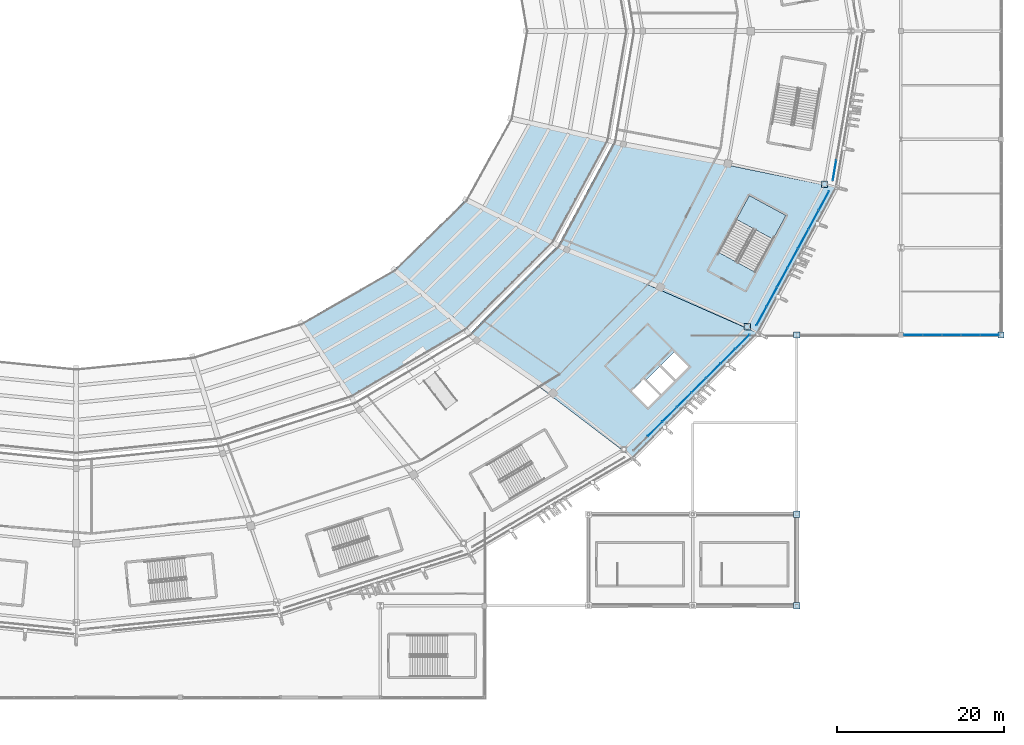
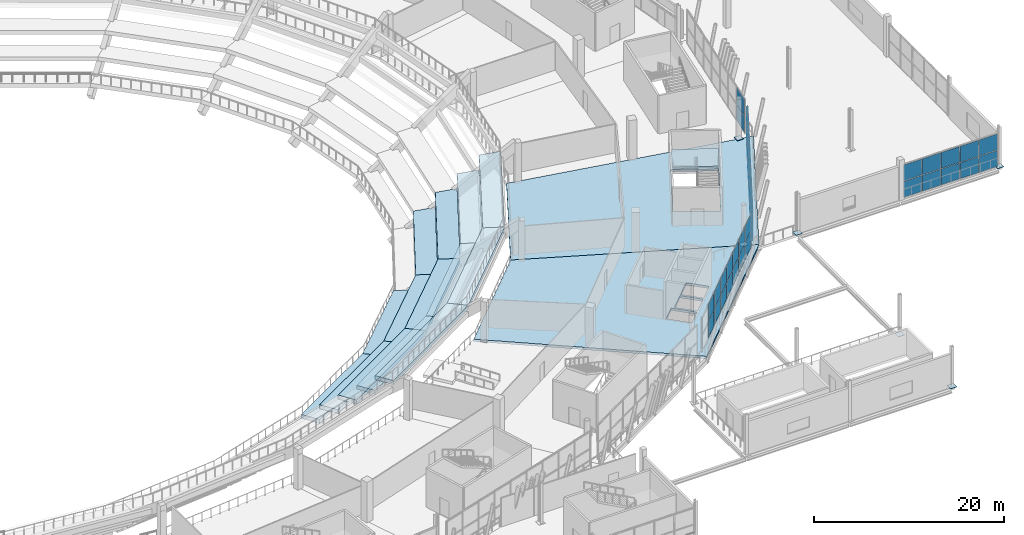
# One storey, part 96 of 178: 46 plates, 17 slabs, 5 elements without a shape of their own.
"""IFC4 building model written with IfcOpenShell, lengths in metres."""

from ifc_helpers import new_model, si_unit, direction, frame, origin, origin_2d, place, context, subcontext, project, spatial, polyline, rectangle, outline, extrude, material, layer, layer_set, type_object, element, aggregate, save


model = new_model("IFC4")

# Units and contexts
model_context = context("Model", 3, precision=1e-05, world=origin(), true_north=direction((0.0, 1.0)))
body_context = subcontext(model_context, "Body", "Model", "MODEL_VIEW")
ifc_project = project(units=[si_unit("LENGTHUNIT", "METRE"), si_unit("AREAUNIT", "SQUARE_METRE"), si_unit("VOLUMEUNIT", "CUBIC_METRE"), si_unit("PLANEANGLEUNIT", "RADIAN"), si_unit("MASSUNIT", "GRAM", prefix="KILO")], contexts=[model_context])

# Site, building, storey
site_placement = place(None, origin())
site = spatial("IfcSite", under=ifc_project, at=site_placement, CompositionType="ELEMENT")
building_placement = place(site_placement, origin())
building = spatial("IfcBuilding", under=site, at=building_placement, Name="Zlatoyarsky Gate Stadium", CompositionType="ELEMENT")
storey_placement = place(building_placement, frame((0.0, 0.0, 5.39990234375)))
storey = spatial("IfcBuildingStorey", under=building, at=storey_placement, Name="L01", CompositionType="ELEMENT", Elevation=5.39990234375)

# Slabs
ifc_material_1 = material(Name="Concrete C40/50", Category="concrete")
ifc_layer_1 = layer(ifc_material_1, 0.300048828125)
ifc_layer_set_1 = layer_set([ifc_layer_1], Name="Concrete C40/50")
slab_type_1 = type_object("IfcSlabType", Name="CONCRETE CONCOURSE SLAB 300", PredefinedType="FLOOR", material=ifc_layer_set_1)
slab_1_placement = place(storey_placement, frame((0.0, 0.0, -0.2998046875)))
element("IfcSlab", 1, at=slab_1_placement, inside=storey, type_object=slab_type_1, Name="L01 bowl sector 21 slab", PredefinedType="FLOOR", context=body_context, shape_type="SweptSolid", body=[
    extrude(outline(polyline([(168.8505859375, 54.300048828125), (192.933349609375, 43.69580078125), (177.898193359375, 28.657958984375), (158.234619140625, 43.65478515625), (168.8505859375, 54.300048828125)]), holes=[polyline([(177.668212890625, 36.799072265625), (179.643310546875, 34.814208984375), (181.06103515625, 36.224853515625), (179.086181640625, 38.209716796875), (177.668212890625, 36.799072265625)]), polyline([(181.23828125, 36.401123046875), (182.7978515625, 37.952880859375), (181.034423828125, 39.72509765625), (179.47509765625, 38.17333984375), (181.23828125, 36.401123046875)]), polyline([(181.2119140625, 39.9013671875), (182.97509765625, 38.129150390625), (184.53466796875, 39.680908203125), (182.771240234375, 41.452880859375), (181.2119140625, 39.9013671875)])]), origin(), (0.0, 0.0, 1.0), 0.2998046875),
])
slab_2_placement = place(storey_placement, frame((0.0, 0.0, -0.2998046875)))
element("IfcSlab", 2, at=slab_2_placement, inside=storey, type_object=slab_type_1, Name="L01 bowl sector 22 slab", PredefinedType="FLOOR", context=body_context, shape_type="SweptSolid", body=[
    extrude(outline(polyline([(175.523681640625, 66.69677734375), (202.384765625, 61.20751953125), (192.933349609375, 43.69580078125), (168.8505859375, 54.300048828125), (175.523681640625, 66.69677734375)]), holes=[polyline([(188.108154296875, 53.438720703125), (192.5029296875, 51.05419921875), (196.19873046875, 57.8662109375), (191.803955078125, 60.250732421875), (188.108154296875, 53.438720703125)])]), origin(), (0.0, 0.0, 1.0), 0.2998046875),
])

# Stair, slab
stair_type = type_object("IfcStairType", Name="CONCRETE DOGLEG EXIT STAIR H5200", PredefinedType="TWO_STRAIGHT_RUN_STAIR", material=ifc_material_1)
stair_placement = place(storey_placement, origin())
stair = element("IfcStair", 3, at=stair_placement, inside=storey, type_object=stair_type, Name="L01 Exit Stair ST-12", PredefinedType="TWO_STRAIGHT_RUN_STAIR")
ifc_layer_2 = layer(ifc_material_1, 0.199951171875)
ifc_layer_set_2 = layer_set([ifc_layer_2], Name="Concrete C40/50")
slab_type_2 = type_object("IfcSlabType", Name="CONCRETE STAIR LANDING SLAB 200", PredefinedType="LANDING", material=ifc_layer_set_2)
slab_3_placement = place(storey_placement, frame((0.0, 0.0, 2.400146484375)))
slab_3 = element("IfcSlab", 4, at=slab_3_placement, type_object=slab_type_2, Name="ST-DG52 landing 1", PredefinedType="LANDING", context=body_context, shape_type="SweptSolid", body=[
    extrude(outline(polyline([(194.64892578125, 55.009521484375), (196.19873046875, 57.8662109375), (191.803955078125, 60.250732421875), (190.254150390625, 57.39404296875), (194.64892578125, 55.009521484375)])), origin(), (0.0, 0.0, 1.0), 0.199951171875),
])
aggregate(stair, [slab_3])

# Curtain wall, plates
ifc_material_2 = material(Name="Thermally broken anodised aluminium curtain wall", Category="aluminium")
curtain_wall_type_1 = type_object("IfcCurtainWallType", Name="WINTER GARDEN CONSERVATORY GLAZING", PredefinedType="USERDEFINED", material=ifc_material_2)
curtain_wall_1_placement = place(storey_placement, origin())
curtain_wall_1 = element("IfcCurtainWall", 5, at=curtain_wall_1_placement, inside=storey, type_object=curtain_wall_type_1, Name="Curtain wall CW-V5_EAST-L01-188", ObjectType="UNITISED GLAZING", PredefinedType="USERDEFINED")
ifc_material_3 = material(Name="Anodised aluminium spandrel panel", Category="aluminium")
ifc_layer_3 = layer(ifc_material_3, 0.05810546875)
ifc_layer_set_3 = layer_set([ifc_layer_3], Name="Anodised aluminium spandrel panel")
plate_type_1 = type_object("IfcPlateType", Name="INSULATED ALUMINIUM SPANDREL PANEL 58", PredefinedType="CURTAIN_PANEL", material=ifc_layer_set_3)
plate_1_placement = place(storey_placement, frame((211.48095703125, 43.5, 0.06494140625), z_axis=(0.0, 0.0, 1.0), x_axis=(1.0, 0.0, 0.0)))
plate_1 = element("IfcPlate", 6, at=plate_1_placement, type_object=plate_type_1, Name="CW-WG1 panel 1.1", PredefinedType="CURTAIN_PANEL", context=body_context, shape_type="SweptSolid", body=[
    extrude(rectangle(XDim=2.207763671875, YDim=0.05810546875, at=origin_2d()), origin(), (0.0, 0.0, 1.0), 2.052490234375),
])
plate_2_placement = place(storey_placement, frame((211.48095703125, 43.5, 2.1826171875), z_axis=(0.0, 0.0, 1.0), x_axis=(1.0, 0.0, 0.0)))
plate_2 = element("IfcPlate", 7, at=plate_2_placement, type_object=plate_type_1, Name="CW-WG1 panel 1.2", PredefinedType="CURTAIN_PANEL", context=body_context, shape_type="SweptSolid", body=[
    extrude(rectangle(XDim=2.207763671875, YDim=0.05810546875, at=origin_2d()), origin(), (0.0, 0.0, 1.0), 2.052490234375),
])
plate_3_placement = place(storey_placement, frame((213.769775390625, 43.5, 0.06494140625), z_axis=(0.0, 0.0, 1.0), x_axis=(1.0, 0.0, 0.0)))
plate_3 = element("IfcPlate", 8, at=plate_3_placement, type_object=plate_type_1, Name="CW-WG1 panel 2.1", PredefinedType="CURTAIN_PANEL", context=body_context, shape_type="SweptSolid", body=[
    extrude(rectangle(XDim=2.240234375, YDim=0.05810546875, at=origin_2d()), origin(), (0.0, 0.0, 1.0), 2.052490234375),
])
plate_4_placement = place(storey_placement, frame((213.769775390625, 43.5, 2.1826171875), z_axis=(0.0, 0.0, 1.0), x_axis=(1.0, 0.0, 0.0)))
plate_4 = element("IfcPlate", 9, at=plate_4_placement, type_object=plate_type_1, Name="CW-WG1 panel 2.2", PredefinedType="CURTAIN_PANEL", context=body_context, shape_type="SweptSolid", body=[
    extrude(rectangle(XDim=2.240234375, YDim=0.05810546875, at=origin_2d()), origin(), (0.0, 0.0, 1.0), 2.052490234375),
])
plate_5_placement = place(storey_placement, frame((216.074951171875, 43.5, 0.06494140625), z_axis=(0.0, 0.0, 1.0), x_axis=(1.0, 0.0, 0.0)))
plate_5 = element("IfcPlate", 10, at=plate_5_placement, type_object=plate_type_1, Name="CW-WG1 panel 3.1", PredefinedType="CURTAIN_PANEL", context=body_context, shape_type="SweptSolid", body=[
    extrude(rectangle(XDim=2.240234375, YDim=0.05810546875, at=origin_2d()), origin(), (0.0, 0.0, 1.0), 2.052490234375),
])
plate_6_placement = place(storey_placement, frame((216.074951171875, 43.5, 2.1826171875), z_axis=(0.0, 0.0, 1.0), x_axis=(1.0, 0.0, 0.0)))
plate_6 = element("IfcPlate", 11, at=plate_6_placement, type_object=plate_type_1, Name="CW-WG1 panel 3.2", PredefinedType="CURTAIN_PANEL", context=body_context, shape_type="SweptSolid", body=[
    extrude(rectangle(XDim=2.240234375, YDim=0.05810546875, at=origin_2d()), origin(), (0.0, 0.0, 1.0), 2.052490234375),
])
plate_7_placement = place(storey_placement, frame((218.380126953125, 43.5, 0.06494140625), z_axis=(0.0, 0.0, 1.0), x_axis=(1.0, 0.0, 0.0)))
plate_7 = element("IfcPlate", 12, at=plate_7_placement, type_object=plate_type_1, Name="CW-WG1 panel 4.1", PredefinedType="CURTAIN_PANEL", context=body_context, shape_type="SweptSolid", body=[
    extrude(rectangle(XDim=2.240234375, YDim=0.05810546875, at=origin_2d()), origin(), (0.0, 0.0, 1.0), 2.052490234375),
])
plate_8_placement = place(storey_placement, frame((218.380126953125, 43.5, 2.1826171875), z_axis=(0.0, 0.0, 1.0), x_axis=(1.0, 0.0, 0.0)))
plate_8 = element("IfcPlate", 13, at=plate_8_placement, type_object=plate_type_1, Name="CW-WG1 panel 4.2", PredefinedType="CURTAIN_PANEL", context=body_context, shape_type="SweptSolid", body=[
    extrude(rectangle(XDim=2.240234375, YDim=0.05810546875, at=origin_2d()), origin(), (0.0, 0.0, 1.0), 2.052490234375),
])
plate_9_placement = place(storey_placement, frame((220.669189453125, 43.5, 0.06494140625), z_axis=(0.0, 0.0, 1.0), x_axis=(1.0, 0.0, 0.0)))
plate_9 = element("IfcPlate", 14, at=plate_9_placement, type_object=plate_type_1, Name="CW-WG1 panel 5.1", PredefinedType="CURTAIN_PANEL", context=body_context, shape_type="SweptSolid", body=[
    extrude(rectangle(XDim=2.207763671875, YDim=0.05810546875, at=origin_2d()), origin(), (0.0, 0.0, 1.0), 2.052490234375),
])
plate_10_placement = place(storey_placement, frame((220.669189453125, 43.5, 2.1826171875), z_axis=(0.0, 0.0, 1.0), x_axis=(1.0, 0.0, 0.0)))
plate_10 = element("IfcPlate", 15, at=plate_10_placement, type_object=plate_type_1, Name="CW-WG1 panel 5.2", PredefinedType="CURTAIN_PANEL", context=body_context, shape_type="SweptSolid", body=[
    extrude(rectangle(XDim=2.207763671875, YDim=0.05810546875, at=origin_2d()), origin(), (0.0, 0.0, 1.0), 2.052490234375),
])
aggregate(curtain_wall_1, [plate_1, plate_2, plate_3, plate_4, plate_5, plate_6, plate_7, plate_8, plate_9, plate_10])

# Slabs
ifc_material_4 = material(Name="Precast concrete C40/50", Category="concrete")
ifc_layer_4 = layer(ifc_material_4, 0.52001953125)
ifc_layer_set_4 = layer_set([ifc_layer_4], Name="Precast concrete C40/50")
slab_type_3 = type_object("IfcSlabType", Name="PRECAST LOWER SEATING TIER UNIT 520", PredefinedType="USERDEFINED", material=ifc_layer_set_4)
slab_4_placement = place(storey_placement, frame((0.0, 0.0, -3.869873046875)))
element("IfcSlab", 16, at=slab_4_placement, inside=storey, type_object=slab_type_3, Name="Lower seating tier sector 20 row 1", ObjectType="SEATING TIER", PredefinedType="USERDEFINED", context=body_context, shape_type="SweptSolid", body=[
    extrude(outline(polyline([(138.0, 44.926025390625), (139.219970703125, 43.14208984375), (150.9091796875, 49.905517578125), (149.183837890625, 51.3623046875), (138.0, 44.926025390625)])), origin(), (0.0, 0.0, 1.0), 0.52001953125),
])
slab_5_placement = place(storey_placement, frame((0.0, 0.0, -1.969970703125)))
element("IfcSlab", 17, at=slab_5_placement, inside=storey, type_object=slab_type_3, Name="Lower seating tier sector 20 row 2", ObjectType="SEATING TIER", PredefinedType="USERDEFINED", context=body_context, shape_type="SweptSolid", body=[
    extrude(outline(polyline([(139.219970703125, 43.14208984375), (140.43994140625, 41.35791015625), (152.634521484375, 48.448974609375), (150.9091796875, 49.905517578125), (139.219970703125, 43.14208984375)])), origin(), (0.0, 0.0, 1.0), 0.52001953125),
])
slab_6_placement = place(storey_placement, frame((0.0, 0.0, -0.06982421875)))
element("IfcSlab", 18, at=slab_6_placement, inside=storey, type_object=slab_type_3, Name="Lower seating tier sector 20 row 3", ObjectType="SEATING TIER", PredefinedType="USERDEFINED", context=body_context, shape_type="SweptSolid", body=[
    extrude(outline(polyline([(140.43994140625, 41.35791015625), (141.659912109375, 39.573974609375), (154.35986328125, 46.9921875), (152.634521484375, 48.448974609375), (140.43994140625, 41.35791015625)])), origin(), (0.0, 0.0, 1.0), 0.52001953125),
])
slab_7_placement = place(storey_placement, frame((0.0, 0.0, 1.830078125)))
element("IfcSlab", 19, at=slab_7_placement, inside=storey, type_object=slab_type_3, Name="Lower seating tier sector 20 row 4", ObjectType="SEATING TIER", PredefinedType="USERDEFINED", context=body_context, shape_type="SweptSolid", body=[
    extrude(outline(polyline([(141.659912109375, 39.573974609375), (142.8798828125, 37.789794921875), (156.085205078125, 45.53564453125), (154.35986328125, 46.9921875), (141.659912109375, 39.573974609375)])), origin(), (0.0, 0.0, 1.0), 0.52001953125),
])
slab_8_placement = place(storey_placement, frame((0.0, 0.0, 3.72998046875)))
element("IfcSlab", 20, at=slab_8_placement, inside=storey, type_object=slab_type_3, Name="Lower seating tier sector 20 row 5", ObjectType="SEATING TIER", PredefinedType="USERDEFINED", context=body_context, shape_type="SweptSolid", body=[
    extrude(outline(polyline([(142.8798828125, 37.789794921875), (144.10009765625, 36.005859375), (157.810546875, 44.0791015625), (156.085205078125, 45.53564453125), (142.8798828125, 37.789794921875)])), origin(), (0.0, 0.0, 1.0), 0.52001953125),
])
slab_9_placement = place(storey_placement, frame((0.0, 0.0, -3.869873046875)))
element("IfcSlab", 21, at=slab_9_placement, inside=storey, type_object=slab_type_3, Name="Lower seating tier sector 21 row 1", ObjectType="SEATING TIER", PredefinedType="USERDEFINED", context=body_context, shape_type="SweptSolid", body=[
    extrude(outline(polyline([(149.183837890625, 51.3623046875), (150.9091796875, 49.905517578125), (159.87841796875, 58.719970703125), (157.765380859375, 59.75), (149.183837890625, 51.3623046875)])), origin(), (0.0, 0.0, 1.0), 0.52001953125),
])
slab_10_placement = place(storey_placement, frame((0.0, 0.0, -1.969970703125)))
element("IfcSlab", 22, at=slab_10_placement, inside=storey, type_object=slab_type_3, Name="Lower seating tier sector 21 row 2", ObjectType="SEATING TIER", PredefinedType="USERDEFINED", context=body_context, shape_type="SweptSolid", body=[
    extrude(outline(polyline([(150.9091796875, 49.905517578125), (152.634521484375, 48.448974609375), (161.99169921875, 57.68994140625), (159.87841796875, 58.719970703125), (150.9091796875, 49.905517578125)])), origin(), (0.0, 0.0, 1.0), 0.52001953125),
])
slab_11_placement = place(storey_placement, frame((0.0, 0.0, -0.06982421875)))
element("IfcSlab", 23, at=slab_11_placement, inside=storey, type_object=slab_type_3, Name="Lower seating tier sector 21 row 3", ObjectType="SEATING TIER", PredefinedType="USERDEFINED", context=body_context, shape_type="SweptSolid", body=[
    extrude(outline(polyline([(152.634521484375, 48.448974609375), (154.35986328125, 46.9921875), (164.104736328125, 56.659912109375), (161.99169921875, 57.68994140625), (152.634521484375, 48.448974609375)])), origin(), (0.0, 0.0, 1.0), 0.52001953125),
])
slab_12_placement = place(storey_placement, frame((0.0, 0.0, 1.830078125)))
element("IfcSlab", 24, at=slab_12_placement, inside=storey, type_object=slab_type_3, Name="Lower seating tier sector 21 row 4", ObjectType="SEATING TIER", PredefinedType="USERDEFINED", context=body_context, shape_type="SweptSolid", body=[
    extrude(outline(polyline([(154.35986328125, 46.9921875), (156.085205078125, 45.53564453125), (166.2177734375, 55.6298828125), (164.104736328125, 56.659912109375), (154.35986328125, 46.9921875)])), origin(), (0.0, 0.0, 1.0), 0.52001953125),
])
slab_13_placement = place(storey_placement, frame((0.0, 0.0, 3.72998046875)))
element("IfcSlab", 25, at=slab_13_placement, inside=storey, type_object=slab_type_3, Name="Lower seating tier sector 21 row 5", ObjectType="SEATING TIER", PredefinedType="USERDEFINED", context=body_context, shape_type="SweptSolid", body=[
    extrude(outline(polyline([(156.085205078125, 45.53564453125), (157.810546875, 44.0791015625), (168.330810546875, 54.60009765625), (166.2177734375, 55.6298828125), (156.085205078125, 45.53564453125)])), origin(), (0.0, 0.0, 1.0), 0.52001953125),
])
slab_14_placement = place(storey_placement, frame((0.0, 0.0, -1.969970703125)))
element("IfcSlab", 26, at=slab_14_placement, inside=storey, type_object=slab_type_3, Name="Lower seating tier sector 22 row 2", ObjectType="SEATING TIER", PredefinedType="USERDEFINED", context=body_context, shape_type="SweptSolid", body=[
    extrude(outline(polyline([(159.87841796875, 58.719970703125), (161.99169921875, 57.68994140625), (167.873779296875, 68.451416015625), (165.516845703125, 68.984619140625), (159.87841796875, 58.719970703125)])), origin(), (0.0, 0.0, 1.0), 0.52001953125),
])
slab_15_placement = place(storey_placement, frame((0.0, 0.0, -0.06982421875)))
element("IfcSlab", 27, at=slab_15_placement, inside=storey, type_object=slab_type_3, Name="Lower seating tier sector 22 row 3", ObjectType="SEATING TIER", PredefinedType="USERDEFINED", context=body_context, shape_type="SweptSolid", body=[
    extrude(outline(polyline([(161.99169921875, 57.68994140625), (164.104736328125, 56.659912109375), (170.230712890625, 67.918212890625), (167.873779296875, 68.451416015625), (161.99169921875, 57.68994140625)])), origin(), (0.0, 0.0, 1.0), 0.52001953125),
])
slab_16_placement = place(storey_placement, frame((0.0, 0.0, 1.830078125)))
element("IfcSlab", 28, at=slab_16_placement, inside=storey, type_object=slab_type_3, Name="Lower seating tier sector 22 row 4", ObjectType="SEATING TIER", PredefinedType="USERDEFINED", context=body_context, shape_type="SweptSolid", body=[
    extrude(outline(polyline([(164.104736328125, 56.659912109375), (166.2177734375, 55.6298828125), (172.58740234375, 67.38525390625), (170.230712890625, 67.918212890625), (164.104736328125, 56.659912109375)])), origin(), (0.0, 0.0, 1.0), 0.52001953125),
])
slab_17_placement = place(storey_placement, frame((0.0, 0.0, 3.72998046875)))
element("IfcSlab", 29, at=slab_17_placement, inside=storey, type_object=slab_type_3, Name="Lower seating tier sector 22 row 5", ObjectType="SEATING TIER", PredefinedType="USERDEFINED", context=body_context, shape_type="SweptSolid", body=[
    extrude(outline(polyline([(166.2177734375, 55.6298828125), (168.330810546875, 54.60009765625), (174.9443359375, 66.85205078125), (172.58740234375, 67.38525390625), (166.2177734375, 55.6298828125)])), origin(), (0.0, 0.0, 1.0), 0.52001953125),
])

# Plates
ifc_material_5 = material(Name="Steel S355", Category="steel")
ifc_layer_5 = layer(ifc_material_5, 0.0400390625)
ifc_layer_set_5 = layer_set([ifc_layer_5], Name="Steel S355")
plate_type_2 = type_object("IfcPlateType", Name="STEEL COLUMN BASE PLATE 40", PredefinedType="USERDEFINED", material=ifc_layer_set_5)
for number, where, z_axis, x_axis, name in (
    (30, (191.540283203125, 44.5, 0.0), (0.0, 0.0, 1.0), (1.0, 0.0, 0.0), "Column base plate BP-01 at RC-22 L01"),
    (31, (200.8310546875, 61.623779296875, 0.0), (0.0, 0.0, 1.0), (1.0, 0.0, 0.0), "Column base plate BP-01 at RC-23 L01"),
    (32, (197.5, 11.0, 0.0), (0.0, 0.0, 1.0), (1.0, 0.0, 0.0), "Column base plate BP-01 at WG-17-B L01"),
    (33, (197.5, 22.0, 0.0), (0.0, 0.0, 1.0), (1.0, 0.0, 0.0), "Column base plate BP-01 at WG-17-C L01"),
    (34, (197.5, 43.5, 0.0), (0.0, 0.0, 1.0), (1.0, 0.0, 0.0), "Column base plate BP-01 at WG-17-E L01"),
    (35, (222.0, 43.5, 0.0), (0.0, 0.0, 1.0), (1.0, 0.0, 0.0), "Column base plate BP-01 at WG-19-E L01"),
):
    element("IfcPlate", number, at=place(storey_placement, frame(where, z_axis=z_axis, x_axis=x_axis)), inside=storey, type_object=plate_type_2, Name=name, ObjectType="BASE PLATE", PredefinedType="USERDEFINED", context=body_context, shape_type="SweptSolid", body=[
        extrude(rectangle(XDim=0.75, YDim=0.75, at=origin_2d()), origin(), (0.0, 0.0, 1.0), 0.0400390625),
    ])

# Curtain wall, plates
curtain_wall_type_2 = type_object("IfcCurtainWallType", Name="UNITISED HOSPITALITY GLAZING L01", PredefinedType="USERDEFINED", material=ifc_material_2)
curtain_wall_2_placement = place(storey_placement, origin())
curtain_wall_2 = element("IfcCurtainWall", 36, at=curtain_wall_2_placement, inside=storey, type_object=curtain_wall_type_2, Name="Curtain wall CW-L01-21", ObjectType="UNITISED GLAZING", PredefinedType="USERDEFINED")
ifc_material_6 = material(Name="Triple-glazed argon low-e architectural glass", Category="glass")
ifc_layer_6 = layer(ifc_material_6, 0.0380859375)
ifc_layer_set_6 = layer_set([ifc_layer_6], Name="Triple-glazed argon low-e architectural glass")
plate_type_3 = type_object("IfcPlateType", Name="TRIPLE GLAZED LOW E CURTAIN PANEL 38", PredefinedType="CURTAIN_PANEL", material=ifc_layer_set_6)
plate_11_placement = place(storey_placement, frame((180.489013671875, 32.232421875, 0.06494140625), z_axis=(0.0, 0.0, 1.0), x_axis=(0.707841859523, 0.706370937898, 0.0)))
plate_11 = element("IfcPlate", 37, at=plate_11_placement, type_object=plate_type_3, Name="CW-UG1 panel 2.1", PredefinedType="CURTAIN_PANEL", context=body_context, shape_type="SweptSolid", body=[
    extrude(rectangle(XDim=2.407958984375, YDim=0.0380859375, at=origin_2d()), origin(), (0.0, 0.0, 1.0), 2.052490234375),
])
plate_12_placement = place(storey_placement, frame((180.489013671875, 32.232421875, 2.1826171875), z_axis=(0.0, 0.0, 1.0), x_axis=(0.707841859523, 0.706370937898, 0.0)))
plate_12 = element("IfcPlate", 38, at=plate_12_placement, type_object=plate_type_3, Name="CW-UG1 panel 2.2", PredefinedType="CURTAIN_PANEL", context=body_context, shape_type="SweptSolid", body=[
    extrude(rectangle(XDim=2.407958984375, YDim=0.0380859375, at=origin_2d()), origin(), (0.0, 0.0, 1.0), 2.152587890625),
])
plate_13_placement = place(storey_placement, frame((182.239501953125, 33.979248046875, 0.06494140625), z_axis=(0.0, 0.0, 1.0), x_axis=(0.707841859523, 0.706370937898, 0.0)))
plate_13 = element("IfcPlate", 39, at=plate_13_placement, type_object=plate_type_3, Name="CW-UG1 panel 3.1", PredefinedType="CURTAIN_PANEL", context=body_context, shape_type="SweptSolid", body=[
    extrude(rectangle(XDim=2.407958984375, YDim=0.0380859375, at=origin_2d()), origin(), (0.0, 0.0, 1.0), 2.052490234375),
])
plate_14_placement = place(storey_placement, frame((182.239501953125, 33.979248046875, 2.1826171875), z_axis=(0.0, 0.0, 1.0), x_axis=(0.707841859523, 0.706370937898, 0.0)))
plate_14 = element("IfcPlate", 40, at=plate_14_placement, type_object=plate_type_3, Name="CW-UG1 panel 3.2", PredefinedType="CURTAIN_PANEL", context=body_context, shape_type="SweptSolid", body=[
    extrude(rectangle(XDim=2.407958984375, YDim=0.0380859375, at=origin_2d()), origin(), (0.0, 0.0, 1.0), 2.152587890625),
])
plate_15_placement = place(storey_placement, frame((183.989990234375, 35.725830078125, 0.06494140625), z_axis=(0.0, 0.0, 1.0), x_axis=(0.707841859523, 0.706370937898, 0.0)))
plate_15 = element("IfcPlate", 41, at=plate_15_placement, type_object=plate_type_3, Name="CW-UG1 panel 4.1", PredefinedType="CURTAIN_PANEL", context=body_context, shape_type="SweptSolid", body=[
    extrude(rectangle(XDim=2.407958984375, YDim=0.0380859375, at=origin_2d()), origin(), (0.0, 0.0, 1.0), 2.052490234375),
])
plate_16_placement = place(storey_placement, frame((183.989990234375, 35.725830078125, 2.1826171875), z_axis=(0.0, 0.0, 1.0), x_axis=(0.707841859523, 0.706370937898, 0.0)))
plate_16 = element("IfcPlate", 42, at=plate_16_placement, type_object=plate_type_3, Name="CW-UG1 panel 4.2", PredefinedType="CURTAIN_PANEL", context=body_context, shape_type="SweptSolid", body=[
    extrude(rectangle(XDim=2.407958984375, YDim=0.0380859375, at=origin_2d()), origin(), (0.0, 0.0, 1.0), 2.152587890625),
])
plate_17_placement = place(storey_placement, frame((185.740478515625, 37.47265625, 0.06494140625), z_axis=(0.0, 0.0, 1.0), x_axis=(0.707841859523, 0.706370937898, 0.0)))
plate_17 = element("IfcPlate", 43, at=plate_17_placement, type_object=plate_type_3, Name="CW-UG1 panel 5.1", PredefinedType="CURTAIN_PANEL", context=body_context, shape_type="SweptSolid", body=[
    extrude(rectangle(XDim=2.407958984375, YDim=0.0380859375, at=origin_2d()), origin(), (0.0, 0.0, 1.0), 2.052490234375),
])
plate_18_placement = place(storey_placement, frame((185.740478515625, 37.47265625, 2.1826171875), z_axis=(0.0, 0.0, 1.0), x_axis=(0.707841859523, 0.706370937898, 0.0)))
plate_18 = element("IfcPlate", 44, at=plate_18_placement, type_object=plate_type_3, Name="CW-UG1 panel 5.2", PredefinedType="CURTAIN_PANEL", context=body_context, shape_type="SweptSolid", body=[
    extrude(rectangle(XDim=2.407958984375, YDim=0.0380859375, at=origin_2d()), origin(), (0.0, 0.0, 1.0), 2.152587890625),
])
plate_19_placement = place(storey_placement, frame((187.490966796875, 39.219482421875, 0.06494140625), z_axis=(0.0, 0.0, 1.0), x_axis=(0.707841859523, 0.706370937898, 0.0)))
plate_19 = element("IfcPlate", 45, at=plate_19_placement, type_object=plate_type_3, Name="CW-UG1 panel 6.1", PredefinedType="CURTAIN_PANEL", context=body_context, shape_type="SweptSolid", body=[
    extrude(rectangle(XDim=2.407958984375, YDim=0.0380859375, at=origin_2d()), origin(), (0.0, 0.0, 1.0), 2.052490234375),
])
plate_20_placement = place(storey_placement, frame((187.490966796875, 39.219482421875, 2.1826171875), z_axis=(0.0, 0.0, 1.0), x_axis=(0.707841859523, 0.706370937898, 0.0)))
plate_20 = element("IfcPlate", 46, at=plate_20_placement, type_object=plate_type_3, Name="CW-UG1 panel 6.2", PredefinedType="CURTAIN_PANEL", context=body_context, shape_type="SweptSolid", body=[
    extrude(rectangle(XDim=2.407958984375, YDim=0.0380859375, at=origin_2d()), origin(), (0.0, 0.0, 1.0), 2.152587890625),
])
plate_21_placement = place(storey_placement, frame((189.2412109375, 40.96630859375, 0.06494140625), z_axis=(0.0, 0.0, 1.0), x_axis=(0.707841859523, 0.706370937898, 0.0)))
plate_21 = element("IfcPlate", 47, at=plate_21_placement, type_object=plate_type_3, Name="CW-UG1 panel 7.1", PredefinedType="CURTAIN_PANEL", context=body_context, shape_type="SweptSolid", body=[
    extrude(rectangle(XDim=2.407958984375, YDim=0.0380859375, at=origin_2d()), origin(), (0.0, 0.0, 1.0), 2.052490234375),
])
plate_22_placement = place(storey_placement, frame((189.2412109375, 40.96630859375, 2.1826171875), z_axis=(0.0, 0.0, 1.0), x_axis=(0.707841859523, 0.706370937898, 0.0)))
plate_22 = element("IfcPlate", 48, at=plate_22_placement, type_object=plate_type_3, Name="CW-UG1 panel 7.2", PredefinedType="CURTAIN_PANEL", context=body_context, shape_type="SweptSolid", body=[
    extrude(rectangle(XDim=2.407958984375, YDim=0.0380859375, at=origin_2d()), origin(), (0.0, 0.0, 1.0), 2.152587890625),
])
plate_23_placement = place(storey_placement, frame((190.980224609375, 42.70166015625, 0.06494140625), z_axis=(0.0, 0.0, 1.0), x_axis=(0.707841859523, 0.706370937898, 0.0)))
plate_23 = element("IfcPlate", 49, at=plate_23_placement, type_object=plate_type_3, Name="CW-UG1 panel 8.1", PredefinedType="CURTAIN_PANEL", context=body_context, shape_type="SweptSolid", body=[
    extrude(rectangle(XDim=2.37548828125, YDim=0.0380859375, at=origin_2d()), origin(), (0.0, 0.0, 1.0), 2.052490234375),
])
plate_24_placement = place(storey_placement, frame((190.980224609375, 42.70166015625, 2.1826171875), z_axis=(0.0, 0.0, 1.0), x_axis=(0.707841859523, 0.706370937898, 0.0)))
plate_24 = element("IfcPlate", 50, at=plate_24_placement, type_object=plate_type_3, Name="CW-UG1 panel 8.2", PredefinedType="CURTAIN_PANEL", context=body_context, shape_type="SweptSolid", body=[
    extrude(rectangle(XDim=2.37548828125, YDim=0.0380859375, at=origin_2d()), origin(), (0.0, 0.0, 1.0), 2.152587890625),
])
aggregate(curtain_wall_2, [plate_11, plate_12, plate_13, plate_14, plate_15, plate_16, plate_17, plate_18, plate_19, plate_20, plate_21, plate_22, plate_23, plate_24])

curtain_wall_3_placement = place(storey_placement, origin())
curtain_wall_3 = element("IfcCurtainWall", 51, at=curtain_wall_3_placement, inside=storey, type_object=curtain_wall_type_2, Name="Curtain wall CW-L01-22", ObjectType="UNITISED GLAZING", PredefinedType="USERDEFINED")
plate_25_placement = place(storey_placement, frame((193.27001953125, 45.788818359375, 0.06494140625), z_axis=(0.0, 0.0, 1.0), x_axis=(0.475784225682, 0.879562033396, 0.0)))
plate_25 = element("IfcPlate", 52, at=plate_25_placement, type_object=plate_type_3, Name="CW-UG1 panel 1.1", PredefinedType="CURTAIN_PANEL", context=body_context, shape_type="SweptSolid", body=[
    extrude(rectangle(XDim=2.53369140625, YDim=0.0380859375, at=origin_2d()), origin(), (0.0, 0.0, 1.0), 2.052490234375),
])
plate_26_placement = place(storey_placement, frame((193.27001953125, 45.788818359375, 2.1826171875), z_axis=(0.0, 0.0, 1.0), x_axis=(0.475784225682, 0.879562033396, 0.0)))
plate_26 = element("IfcPlate", 53, at=plate_26_placement, type_object=plate_type_3, Name="CW-UG1 panel 1.2", PredefinedType="CURTAIN_PANEL", context=body_context, shape_type="SweptSolid", body=[
    extrude(rectangle(XDim=2.53369140625, YDim=0.0380859375, at=origin_2d()), origin(), (0.0, 0.0, 1.0), 2.152587890625),
])
plate_27_placement = place(storey_placement, frame((194.51416015625, 48.088623046875, 0.06494140625), z_axis=(0.0, 0.0, 1.0), x_axis=(0.475784225682, 0.879562033396, 0.0)))
plate_27 = element("IfcPlate", 54, at=plate_27_placement, type_object=plate_type_3, Name="CW-UG1 panel 2.1", PredefinedType="CURTAIN_PANEL", context=body_context, shape_type="SweptSolid", body=[
    extrude(rectangle(XDim=2.566162109375, YDim=0.0380859375, at=origin_2d()), origin(), (0.0, 0.0, 1.0), 2.052490234375),
])
plate_28_placement = place(storey_placement, frame((194.51416015625, 48.088623046875, 2.1826171875), z_axis=(0.0, 0.0, 1.0), x_axis=(0.475784225682, 0.879562033396, 0.0)))
plate_28 = element("IfcPlate", 55, at=plate_28_placement, type_object=plate_type_3, Name="CW-UG1 panel 2.2", PredefinedType="CURTAIN_PANEL", context=body_context, shape_type="SweptSolid", body=[
    extrude(rectangle(XDim=2.566162109375, YDim=0.0380859375, at=origin_2d()), origin(), (0.0, 0.0, 1.0), 2.152587890625),
])
plate_29_placement = place(storey_placement, frame((195.76611328125, 50.403076171875, 0.06494140625), z_axis=(0.0, 0.0, 1.0), x_axis=(0.475784225682, 0.879562033396, 0.0)))
plate_29 = element("IfcPlate", 56, at=plate_29_placement, type_object=plate_type_3, Name="CW-UG1 panel 3.1", PredefinedType="CURTAIN_PANEL", context=body_context, shape_type="SweptSolid", body=[
    extrude(rectangle(XDim=2.566162109375, YDim=0.0380859375, at=origin_2d()), origin(), (0.0, 0.0, 1.0), 2.052490234375),
])
plate_30_placement = place(storey_placement, frame((195.76611328125, 50.403076171875, 2.1826171875), z_axis=(0.0, 0.0, 1.0), x_axis=(0.475784225682, 0.879562033396, 0.0)))
plate_30 = element("IfcPlate", 57, at=plate_30_placement, type_object=plate_type_3, Name="CW-UG1 panel 3.2", PredefinedType="CURTAIN_PANEL", context=body_context, shape_type="SweptSolid", body=[
    extrude(rectangle(XDim=2.566162109375, YDim=0.0380859375, at=origin_2d()), origin(), (0.0, 0.0, 1.0), 2.152587890625),
])
plate_31_placement = place(storey_placement, frame((197.017822265625, 52.71728515625, 0.06494140625), z_axis=(0.0, 0.0, 1.0), x_axis=(0.475784225682, 0.879562033396, 0.0)))
plate_31 = element("IfcPlate", 58, at=plate_31_placement, type_object=plate_type_3, Name="CW-UG1 panel 4.1", PredefinedType="CURTAIN_PANEL", context=body_context, shape_type="SweptSolid", body=[
    extrude(rectangle(XDim=2.566162109375, YDim=0.0380859375, at=origin_2d()), origin(), (0.0, 0.0, 1.0), 2.052490234375),
])
plate_32_placement = place(storey_placement, frame((197.017822265625, 52.71728515625, 2.1826171875), z_axis=(0.0, 0.0, 1.0), x_axis=(0.475784225682, 0.879562033396, 0.0)))
plate_32 = element("IfcPlate", 59, at=plate_32_placement, type_object=plate_type_3, Name="CW-UG1 panel 4.2", PredefinedType="CURTAIN_PANEL", context=body_context, shape_type="SweptSolid", body=[
    extrude(rectangle(XDim=2.566162109375, YDim=0.0380859375, at=origin_2d()), origin(), (0.0, 0.0, 1.0), 2.152587890625),
])
plate_33_placement = place(storey_placement, frame((198.269775390625, 55.031494140625, 0.06494140625), z_axis=(0.0, 0.0, 1.0), x_axis=(0.475784225682, 0.879562033396, 0.0)))
plate_33 = element("IfcPlate", 60, at=plate_33_placement, type_object=plate_type_3, Name="CW-UG1 panel 5.1", PredefinedType="CURTAIN_PANEL", context=body_context, shape_type="SweptSolid", body=[
    extrude(rectangle(XDim=2.566162109375, YDim=0.0380859375, at=origin_2d()), origin(), (0.0, 0.0, 1.0), 2.052490234375),
])
plate_34_placement = place(storey_placement, frame((198.269775390625, 55.031494140625, 2.1826171875), z_axis=(0.0, 0.0, 1.0), x_axis=(0.475784225682, 0.879562033396, 0.0)))
plate_34 = element("IfcPlate", 61, at=plate_34_placement, type_object=plate_type_3, Name="CW-UG1 panel 5.2", PredefinedType="CURTAIN_PANEL", context=body_context, shape_type="SweptSolid", body=[
    extrude(rectangle(XDim=2.566162109375, YDim=0.0380859375, at=origin_2d()), origin(), (0.0, 0.0, 1.0), 2.152587890625),
])
plate_35_placement = place(storey_placement, frame((199.521484375, 57.345703125, 0.06494140625), z_axis=(0.0, 0.0, 1.0), x_axis=(0.475784225682, 0.879562033396, 0.0)))
plate_35 = element("IfcPlate", 62, at=plate_35_placement, type_object=plate_type_3, Name="CW-UG1 panel 6.1", PredefinedType="CURTAIN_PANEL", context=body_context, shape_type="SweptSolid", body=[
    extrude(rectangle(XDim=2.566162109375, YDim=0.0380859375, at=origin_2d()), origin(), (0.0, 0.0, 1.0), 2.052490234375),
])
plate_36_placement = place(storey_placement, frame((199.521484375, 57.345703125, 2.1826171875), z_axis=(0.0, 0.0, 1.0), x_axis=(0.475784225682, 0.879562033396, 0.0)))
plate_36 = element("IfcPlate", 63, at=plate_36_placement, type_object=plate_type_3, Name="CW-UG1 panel 6.2", PredefinedType="CURTAIN_PANEL", context=body_context, shape_type="SweptSolid", body=[
    extrude(rectangle(XDim=2.566162109375, YDim=0.0380859375, at=origin_2d()), origin(), (0.0, 0.0, 1.0), 2.152587890625),
])
plate_37_placement = place(storey_placement, frame((200.765625, 59.6455078125, 0.06494140625), z_axis=(0.0, 0.0, 1.0), x_axis=(0.475784225682, 0.879562033396, 0.0)))
plate_37 = element("IfcPlate", 64, at=plate_37_placement, type_object=plate_type_3, Name="CW-UG1 panel 7.1", PredefinedType="CURTAIN_PANEL", context=body_context, shape_type="SweptSolid", body=[
    extrude(rectangle(XDim=2.53369140625, YDim=0.0380859375, at=origin_2d()), origin(), (0.0, 0.0, 1.0), 2.052490234375),
])
plate_38_placement = place(storey_placement, frame((200.765625, 59.6455078125, 2.1826171875), z_axis=(0.0, 0.0, 1.0), x_axis=(0.475784225682, 0.879562033396, 0.0)))
plate_38 = element("IfcPlate", 65, at=plate_38_placement, type_object=plate_type_3, Name="CW-UG1 panel 7.2", PredefinedType="CURTAIN_PANEL", context=body_context, shape_type="SweptSolid", body=[
    extrude(rectangle(XDim=2.53369140625, YDim=0.0380859375, at=origin_2d()), origin(), (0.0, 0.0, 1.0), 2.152587890625),
])
aggregate(curtain_wall_3, [plate_25, plate_26, plate_27, plate_28, plate_29, plate_30, plate_31, plate_32, plate_33, plate_34, plate_35, plate_36, plate_37, plate_38])

curtain_wall_4_placement = place(storey_placement, origin())
curtain_wall_4 = element("IfcCurtainWall", 66, at=curtain_wall_4_placement, inside=storey, type_object=curtain_wall_type_2, Name="Curtain wall CW-L01-23", ObjectType="UNITISED GLAZING", PredefinedType="USERDEFINED")
plate_39_placement = place(storey_placement, frame((202.0341796875, 63.283203125, 0.06494140625), z_axis=(0.0, 0.0, 1.0), x_axis=(0.169451371657, 0.985538549547, 0.0)))
plate_39 = element("IfcPlate", 67, at=plate_39_placement, type_object=plate_type_3, Name="CW-UG1 panel 1.1", PredefinedType="CURTAIN_PANEL", context=body_context, shape_type="SweptSolid", body=[
    extrude(rectangle(XDim=2.41455078125, YDim=0.0380859375, at=origin_2d()), origin(), (0.0, 0.0, 1.0), 2.052490234375),
])
plate_40_placement = place(storey_placement, frame((202.0341796875, 63.283203125, 2.1826171875), z_axis=(0.0, 0.0, 1.0), x_axis=(0.169451371657, 0.985538549547, 0.0)))
plate_40 = element("IfcPlate", 68, at=plate_40_placement, type_object=plate_type_3, Name="CW-UG1 panel 1.2", PredefinedType="CURTAIN_PANEL", context=body_context, shape_type="SweptSolid", body=[
    extrude(rectangle(XDim=2.41455078125, YDim=0.0380859375, at=origin_2d()), origin(), (0.0, 0.0, 1.0), 2.152587890625),
])
aggregate(curtain_wall_4, [plate_39, plate_40])

save(model, "model.ifc")
